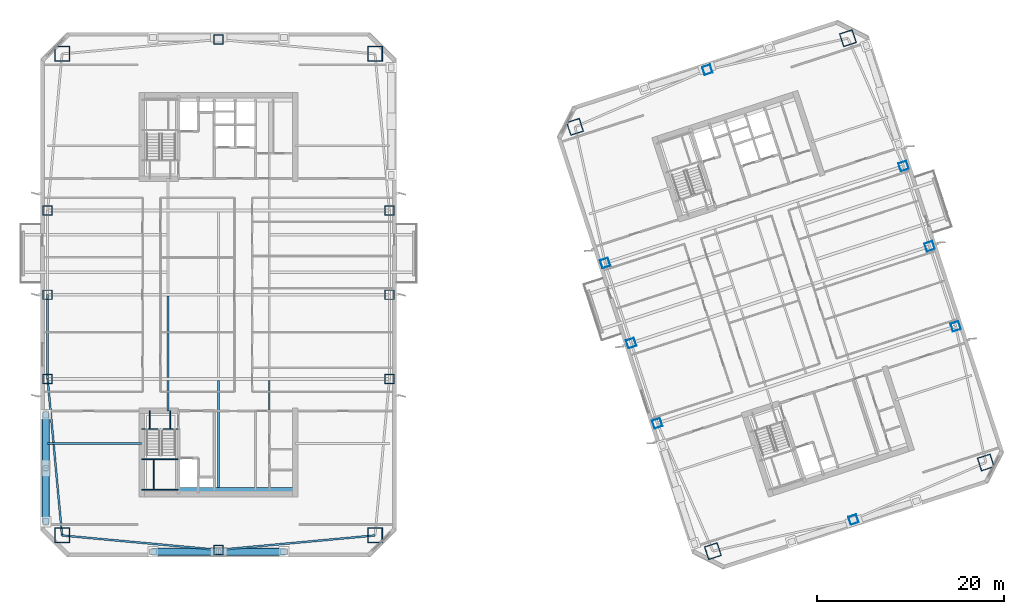
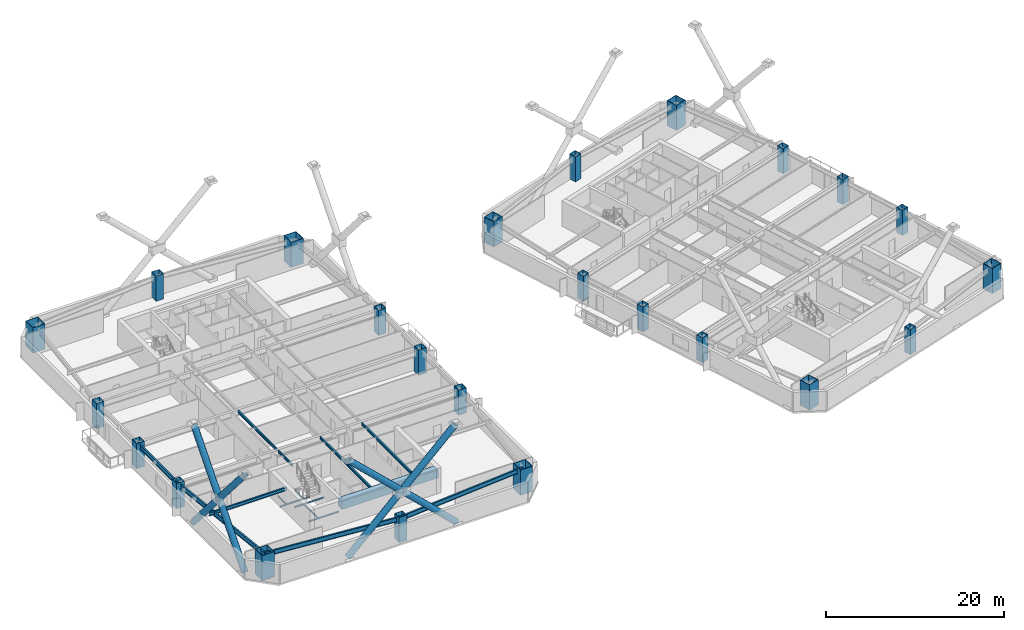
# One storey, part 1 of 24: 24 columns, 16 beams, 8 members.
"""IFC4 building model written with IfcOpenShell, lengths in metres."""

from ifc_helpers import new_model, si_unit, direction, frame, origin, origin_2d, place, context, subcontext, project, spatial, rectangle, hollow_rectangle, hollow_circle, i_section, extrude, material, material_profile, profile_set, type_object, element, save


model = new_model("IFC4")

# Units and contexts
model_context = context("Model", 3, precision=1e-05, world=origin(), true_north=direction((0.0, 1.0)))
body_context = subcontext(model_context, "Body", "Model", "MODEL_VIEW")
ifc_project = project(units=[si_unit("LENGTHUNIT", "METRE"), si_unit("AREAUNIT", "SQUARE_METRE"), si_unit("VOLUMEUNIT", "CUBIC_METRE"), si_unit("PLANEANGLEUNIT", "RADIAN"), si_unit("MASSUNIT", "GRAM", prefix="KILO")], contexts=[model_context])

# Site, building, storey
site_placement = place(None, origin())
site = spatial("IfcSite", under=ifc_project, at=site_placement, CompositionType="ELEMENT")
building_placement = place(site_placement, origin())
building = spatial("IfcBuilding", under=site, at=building_placement, Name="Qiaolan Cultural Towers", CompositionType="ELEMENT")
storey_placement = place(building_placement, frame((0.0, 0.0, 120.75)))
storey = spatial("IfcBuildingStorey", under=building, at=storey_placement, Name="L31", CompositionType="ELEMENT", Elevation=120.75)

# Columns
ifc_material_1 = material(Name="Steel Q355B", Category="steel")
ifc_material_profile_1 = material_profile(ifc_material_1, hollow_rectangle(XDim=1.0, YDim=1.0, WallThickness=0.035888671875, at=origin_2d()), Name="BOX1000x1000x36")
ifc_profile_set_1 = profile_set([ifc_material_profile_1], Name="Steel Q355B")
column_type_1 = type_object("IfcColumnType", Name="COL-BOX1000x1000x36", PredefinedType="COLUMN", material=ifc_profile_set_1)
for number, where, z_axis, x_axis, name in (
    (1, (11.75, 25.0, 0.0), (0.0, 0.0, 1.0), (1.0, 0.0, 0.0), "L31 T1 Perimeter Column PC-W1"),
    (2, (11.75, 34.0, 0.0), (0.0, 0.0, 1.0), (1.0, 0.0, 0.0), "L31 T1 Perimeter Column PC-W2"),
    (3, (11.75, 43.0, 0.0), (0.0, 0.0, 1.0), (1.0, 0.0, 0.0), "L31 T1 Perimeter Column PC-W3"),
    (4, (48.25, 25.0, 0.0), (0.0, 0.0, 1.0), (1.0, 0.0, 0.0), "L31 T1 Perimeter Column PC-E1"),
    (5, (48.25, 34.0, 0.0), (0.0, 0.0, 1.0), (1.0, 0.0, 0.0), "L31 T1 Perimeter Column PC-E2"),
    (6, (48.25, 43.0, 0.0), (0.0, 0.0, 1.0), (1.0, 0.0, 0.0), "L31 T1 Perimeter Column PC-E3"),
    (7, (30.0, 6.75, 0.0), (0.0, 0.0, 1.0), (1.0, 0.0, 0.0), "L31 T1 Perimeter Column PC-S0"),
    (8, (30.0, 61.25, 0.0), (0.0, 0.0, 1.0), (1.0, 0.0, 0.0), "L31 T1 Perimeter Column PC-N0"),
):
    element("IfcColumn", number, at=place(storey_placement, frame(where, z_axis=z_axis, x_axis=x_axis)), inside=storey, type_object=column_type_1, Name=name, PredefinedType="COLUMN", context=body_context, shape_type="SweptSolid", body=[
        extrude(hollow_rectangle(XDim=1.0, YDim=1.0, WallThickness=0.035888671875, at=origin_2d()), origin(), (0.0, 0.0, 1.0), 3.450927734375),
    ])
ifc_material_2 = material(Name="Steel Q420GJB", Category="steel")
ifc_material_profile_2 = material_profile(ifc_material_2, hollow_rectangle(XDim=1.449951171875, YDim=1.449951171875, WallThickness=0.050048828125, at=origin_2d()), Name="BOX1450x1450x50")
ifc_profile_set_2 = profile_set([ifc_material_profile_2], Name="Steel Q420GJB")
column_type_2 = type_object("IfcColumnType", Name="COL-BOX1450x1450x50", PredefinedType="COLUMN", material=ifc_profile_set_2)
for number, where, z_axis, x_axis, name in (
    (9, (82.79052734375, 6.611572265625, 0.0), (0.0, 0.0, 1.0), (0.951056516295, 0.309016994375, 0.0), "L31 T2 Perimeter Column MC-SW"),
    (10, (111.930908203125, 16.080078125, 0.0), (0.0, 0.0, 1.0), (0.951056516295, 0.309016994375, 0.0), "L31 T2 Perimeter Column MC-SE"),
    (11, (97.20947265625, 61.388427734375, 0.0), (0.0, 0.0, 1.0), (0.951056516295, 0.309016994375, 0.0), "L31 T2 Perimeter Column MC-NE"),
    (12, (68.069091796875, 51.919921875, 0.0), (0.0, 0.0, 1.0), (0.951056516295, 0.309016994375, 0.0), "L31 T2 Perimeter Column MC-NW"),
):
    element("IfcColumn", number, at=place(storey_placement, frame(where, z_axis=z_axis, x_axis=x_axis)), inside=storey, type_object=column_type_2, Name=name, PredefinedType="COLUMN", context=body_context, shape_type="SweptSolid", body=[
        extrude(hollow_rectangle(XDim=1.449951171875, YDim=1.449951171875, WallThickness=0.050048828125, at=origin_2d()), origin(), (0.0, 0.0, 1.0), 3.450927734375),
    ])
ifc_material_3 = material(Name="Steel Q420GJB", Category="steel")
ifc_material_profile_3 = material_profile(ifc_material_3, hollow_rectangle(XDim=1.60009765625, YDim=1.60009765625, WallThickness=0.054931640625, at=origin_2d()), Name="BOX1600x1600x55")
ifc_profile_set_3 = profile_set([ifc_material_profile_3], Name="Steel Q420GJB")
column_type_3 = type_object("IfcColumnType", Name="COL-BOX1600x1600x55", PredefinedType="COLUMN", material=ifc_profile_set_3)
for number, where, z_axis, x_axis, name in (
    (13, (13.2900390625, 8.2900390625, 0.0), (0.0, 0.0, 1.0), (1.0, 0.0, 0.0), "L31 T1 Perimeter Column MC-SW"),
    (14, (46.7099609375, 8.2900390625, 0.0), (0.0, 0.0, 1.0), (1.0, 0.0, 0.0), "L31 T1 Perimeter Column MC-SE"),
    (15, (46.7099609375, 59.7099609375, 0.0), (0.0, 0.0, 1.0), (1.0, 0.0, 0.0), "L31 T1 Perimeter Column MC-NE"),
    (16, (13.2900390625, 59.7099609375, 0.0), (0.0, 0.0, 1.0), (1.0, 0.0, 0.0), "L31 T1 Perimeter Column MC-NW"),
):
    element("IfcColumn", number, at=place(storey_placement, frame(where, z_axis=z_axis, x_axis=x_axis)), inside=storey, type_object=column_type_3, Name=name, PredefinedType="COLUMN", context=body_context, shape_type="SweptSolid", body=[
        extrude(hollow_rectangle(XDim=1.60009765625, YDim=1.60009765625, WallThickness=0.054931640625, at=origin_2d()), origin(), (0.0, 0.0, 1.0), 3.450927734375),
    ])
ifc_material_4 = material(Name="Steel Q355B", Category="steel")
ifc_material_profile_4 = material_profile(ifc_material_4, hollow_rectangle(XDim=0.89990234375, YDim=0.89990234375, WallThickness=0.031982421875, at=origin_2d()), Name="BOX900x900x32")
ifc_profile_set_4 = profile_set([ifc_material_profile_4], Name="Steel Q355B")
column_type_4 = type_object("IfcColumnType", Name="COL-BOX900x900x32", PredefinedType="COLUMN", material=ifc_profile_set_4)
for number, where, z_axis, x_axis, name in (
    (17, (76.85107421875, 20.264404296875, 0.0), (0.0, 0.0, 1.0), (0.951056516295, 0.309016994375, 0.0), "L31 T2 Perimeter Column PC-W1"),
    (18, (74.06982421875, 28.823974609375, 0.0), (0.0, 0.0, 1.0), (0.951056516295, 0.309016994375, 0.0), "L31 T2 Perimeter Column PC-W2"),
    (19, (71.28857421875, 37.383544921875, 0.0), (0.0, 0.0, 1.0), (0.951056516295, 0.309016994375, 0.0), "L31 T2 Perimeter Column PC-W3"),
    (20, (108.71142578125, 30.616455078125, 0.0), (0.0, 0.0, 1.0), (0.951056516295, 0.309016994375, 0.0), "L31 T2 Perimeter Column PC-E1"),
    (21, (105.93017578125, 39.176025390625, 0.0), (0.0, 0.0, 1.0), (0.951056516295, 0.309016994375, 0.0), "L31 T2 Perimeter Column PC-E2"),
    (22, (103.14892578125, 47.735595703125, 0.0), (0.0, 0.0, 1.0), (0.951056516295, 0.309016994375, 0.0), "L31 T2 Perimeter Column PC-E3"),
    (23, (97.802734375, 9.98583984375, 0.0), (0.0, 0.0, 1.0), (0.951056516295, 0.309016994375, 0.0), "L31 T2 Perimeter Column PC-S0"),
    (24, (82.197265625, 58.01416015625, 0.0), (0.0, 0.0, 1.0), (0.951056516295, 0.309016994375, 0.0), "L31 T2 Perimeter Column PC-N0"),
):
    element("IfcColumn", number, at=place(storey_placement, frame(where, z_axis=z_axis, x_axis=x_axis)), inside=storey, type_object=column_type_4, Name=name, PredefinedType="COLUMN", context=body_context, shape_type="SweptSolid", body=[
        extrude(hollow_rectangle(XDim=0.89990234375, YDim=0.89990234375, WallThickness=0.031982421875, at=origin_2d()), origin(), (0.0, 0.0, 1.0), 3.450927734375),
    ])

# Beams
ifc_material_5 = material(Name="Steel Q355B", Category="steel")
ifc_material_profile_5 = material_profile(ifc_material_5, i_section(OverallWidth=0.175048828125, OverallDepth=0.35009765625, WebThickness=0.007080078125, FlangeThickness=0.010986328125, at=origin_2d()), Name="HN350x175x7x11")
ifc_profile_set_5 = profile_set([ifc_material_profile_5], Name="Steel Q355B")
beam_type_1 = type_object("IfcBeamType", Name="BM-JST-HN350x175x7x11", PredefinedType="JOIST", material=ifc_profile_set_5)
beam_1_placement = place(storey_placement, frame((24.60009765625, 21.60009765625, 3.014892578125), z_axis=(0.0, 1.0, 0.0), x_axis=(-1.0, 0.0, 0.0)))
element("IfcBeam", 25, at=beam_1_placement, inside=storey, type_object=beam_type_1, Name="L31 T1 Secondary Floor Joist U1-1", PredefinedType="JOIST", context=body_context, shape_type="SweptSolid", body=[
    extrude(i_section(OverallWidth=0.175048828125, OverallDepth=0.35009765625, WebThickness=0.007080078125, FlangeThickness=0.010986328125, at=origin_2d()), origin(), (0.0, 0.0, 1.0), 3.25),
])
beam_2_placement = place(storey_placement, frame((24.60009765625, 25.14990234375, 3.014892578125), z_axis=(0.0, 1.0, 0.0), x_axis=(-1.0, 0.0, 0.0)))
element("IfcBeam", 26, at=beam_2_placement, inside=storey, type_object=beam_type_1, Name="L31 T1 Secondary Floor Joist U1-2", PredefinedType="JOIST", context=body_context, shape_type="SweptSolid", body=[
    extrude(i_section(OverallWidth=0.175048828125, OverallDepth=0.35009765625, WebThickness=0.007080078125, FlangeThickness=0.010986328125, at=origin_2d()), origin(), (0.0, 0.0, 1.0), 8.7001953125),
])
for number, where, z_axis, x_axis, name in (
    (27, (30.0, 13.39990234375, 3.014892578125), (0.0, 1.0, 0.0), (-1.0, 0.0, 0.0), "L31 T1 Secondary Floor Joist U2-1"),
    (28, (35.39990234375, 13.39990234375, 3.014892578125), (0.0, 1.0, 0.0), (-1.0, 0.0, 0.0), "L31 T1 Secondary Floor Joist U3-1"),
):
    element("IfcBeam", number, at=place(storey_placement, frame(where, z_axis=z_axis, x_axis=x_axis)), inside=storey, type_object=beam_type_1, Name=name, PredefinedType="JOIST", context=body_context, shape_type="SweptSolid", body=[
        extrude(i_section(OverallWidth=0.175048828125, OverallDepth=0.35009765625, WebThickness=0.007080078125, FlangeThickness=0.010986328125, at=origin_2d()), origin(), (0.0, 0.0, 1.0), 11.4501953125),
    ])
ifc_material_6 = material(Name="Steel Q355B", Category="steel")
ifc_material_profile_6 = material_profile(ifc_material_6, i_section(OverallWidth=0.199951171875, OverallDepth=0.449951171875, WebThickness=0.009033203125, FlangeThickness=0.013916015625, at=origin_2d()), Name="HN450x200x9x14")
ifc_profile_set_6 = profile_set([ifc_material_profile_6], Name="Steel Q355B")
beam_type_2 = type_object("IfcBeamType", Name="BM-LNT-HN450x200x9x14", PredefinedType="LINTEL", material=ifc_profile_set_6)
beam_3_placement = place(storey_placement, frame((21.800048828125, 18.10009765625, 2.965087890625), z_axis=(-1.0, 0.0, 0.0), x_axis=(0.0, -1.0, 0.0)))
element("IfcBeam", 29, at=beam_3_placement, inside=storey, type_object=beam_type_2, Name="L31 T1 Core Flank Tie Lintel WS", PredefinedType="LINTEL", context=body_context, shape_type="SweptSolid", body=[
    extrude(i_section(OverallWidth=0.199951171875, OverallDepth=0.449951171875, WebThickness=0.009033203125, FlangeThickness=0.013916015625, at=origin_2d()), origin(), (0.0, 0.0, 1.0), 10.050048828125),
])
ifc_material_7 = material(Name="Concrete C50", Category="concrete")
ifc_material_profile_7 = material_profile(ifc_material_7, rectangle(XDim=0.89990234375, YDim=1.10009765625, at=origin_2d()), Name="RC900x1100")
ifc_profile_set_7 = profile_set([ifc_material_profile_7], Name="Concrete C50")
beam_type_3 = type_object("IfcBeamType", Name="BM-RC900x1100", PredefinedType="BEAM", material=ifc_profile_set_7)
beam_4_placement = place(storey_placement, frame((25.719970703125, 12.949951171875, 2.639892578125), z_axis=(1.0, 0.0, 0.0), x_axis=(0.0, 1.0, 0.0)))
element("IfcBeam", 30, at=beam_4_placement, inside=storey, type_object=beam_type_3, Name="L31 T1 Core Header Girder S", PredefinedType="BEAM", context=body_context, shape_type="SweptSolid", body=[
    extrude(rectangle(XDim=0.89990234375, YDim=1.10009765625, at=origin_2d()), origin(), (0.0, 0.0, 1.0), 12.47998046875),
])
ifc_material_8 = material(Name="Steel Q355B", Category="steel")
ifc_material_profile_8 = material_profile(ifc_material_8, i_section(OverallWidth=0.199951171875, OverallDepth=0.60009765625, WebThickness=0.010986328125, FlangeThickness=0.01708984375, at=origin_2d()), Name="HN600x200x11x17")
ifc_profile_set_8 = profile_set([ifc_material_profile_8], Name="Steel Q355B")
beam_type_4 = type_object("IfcBeamType", Name="BM-SPD-HN600x200x11x17", PredefinedType="SPANDREL", material=ifc_profile_set_8)
for number, where, z_axis, x_axis, name in (
    (31, (13.2900390625, 8.2900390625, 2.889892578125), (0.995779862064, -0.09177399582, 0.0), (0.09177399582, 0.995779862064, 0.0), "L31 T1 Perimeter Spandrel Beam 1"),
    (32, (30.0, 6.75, 2.889892578125), (0.995779862064, 0.09177399582, 0.0), (-0.09177399582, 0.995779862064, 0.0), "L31 T1 Perimeter Spandrel Beam 2"),
):
    element("IfcBeam", number, at=place(storey_placement, frame(where, z_axis=z_axis, x_axis=x_axis)), inside=storey, type_object=beam_type_4, Name=name, PredefinedType="SPANDREL", context=body_context, shape_type="SweptSolid", body=[
        extrude(i_section(OverallWidth=0.199951171875, OverallDepth=0.60009765625, WebThickness=0.010986328125, FlangeThickness=0.01708984375, at=origin_2d()), origin(), (0.0, 0.0, 1.0), 16.78076171875),
    ])
beam_5_placement = place(storey_placement, frame((11.75, 34.0, 2.889892578125), z_axis=(0.0, -1.0, 0.0), x_axis=(1.0, 0.0, 0.0)))
element("IfcBeam", 33, at=beam_5_placement, inside=storey, type_object=beam_type_4, Name="L31 T1 Perimeter Spandrel Beam 11", PredefinedType="SPANDREL", context=body_context, shape_type="SweptSolid", body=[
    extrude(i_section(OverallWidth=0.199951171875, OverallDepth=0.60009765625, WebThickness=0.010986328125, FlangeThickness=0.01708984375, at=origin_2d()), origin(), (0.0, 0.0, 1.0), 9.0),
])
beam_6_placement = place(storey_placement, frame((11.75, 25.0, 2.889892578125), z_axis=(0.09177399582, -0.995779862064, 0.0), x_axis=(0.995779862064, 0.09177399582, 0.0)))
element("IfcBeam", 34, at=beam_6_placement, inside=storey, type_object=beam_type_4, Name="L31 T1 Perimeter Spandrel Beam 12", PredefinedType="SPANDREL", context=body_context, shape_type="SweptSolid", body=[
    extrude(i_section(OverallWidth=0.199951171875, OverallDepth=0.60009765625, WebThickness=0.010986328125, FlangeThickness=0.01708984375, at=origin_2d()), origin(), (0.0, 0.0, 1.0), 16.78076171875),
])
ifc_material_9 = material(Name="Steel Q355B", Category="steel")
ifc_material_profile_9 = material_profile(ifc_material_9, i_section(OverallWidth=0.10009765625, OverallDepth=0.199951171875, WebThickness=0.005615234375, FlangeThickness=0.008056640625, at=origin_2d()), Name="HN200x100x5.5x8")
ifc_profile_set_9 = profile_set([ifc_material_profile_9], Name="Steel Q355B")
beam_type_5 = type_object("IfcBeamType", Name="BM-STTRIM-200", PredefinedType="BEAM", material=ifc_profile_set_9)
beam_7_placement = place(storey_placement, frame((21.800048828125, 19.659912109375, -0.4599609375), z_axis=(1.0, 0.0, 0.0), x_axis=(0.0, 1.0, 0.0)))
element("IfcBeam", 35, at=beam_7_placement, inside=storey, type_object=beam_type_5, Name="L31 ST-W1 Floor Landing Header Beam", PredefinedType="BEAM", context=body_context, shape_type="SweptSolid", body=[
    extrude(i_section(OverallWidth=0.10009765625, OverallDepth=0.199951171875, WebThickness=0.005615234375, FlangeThickness=0.008056640625, at=origin_2d()), origin(), (0.0, 0.0, 1.0), 3.919921875),
])
for number, where, z_axis, x_axis, name in (
    (36, (22.64990234375, 21.60009765625, -0.4599609375), (0.0, -1.0, 0.0), (1.0, 0.0, 0.0), "L31 ST-W1 Floor Landing Stringer 1"),
    (37, (24.85009765625, 21.60009765625, -0.4599609375), (0.0, -1.0, 0.0), (1.0, 0.0, 0.0), "L31 ST-W1 Floor Landing Stringer 2"),
):
    element("IfcBeam", number, at=place(storey_placement, frame(where, z_axis=z_axis, x_axis=x_axis)), inside=storey, type_object=beam_type_5, Name=name, PredefinedType="BEAM", context=body_context, shape_type="SweptSolid", body=[
        extrude(i_section(OverallWidth=0.10009765625, OverallDepth=0.199951171875, WebThickness=0.005615234375, FlangeThickness=0.008056640625, at=origin_2d()), origin(), (0.0, 0.0, 1.0), 1.940185546875),
    ])
for number, where, z_axis, x_axis, name in (
    (38, (21.800048828125, 16.411376953125, 1.425048828125), (1.0, 0.0, 0.0), (0.0, 1.0, 0.0), "L31 ST-W1 Stair Landing Support Beam 1-1"),
    (39, (21.800048828125, 13.179931640625, 1.425048828125), (1.0, 0.0, 0.0), (0.0, 1.0, 0.0), "L31 ST-W1 Stair Landing Support Beam 1-2"),
):
    element("IfcBeam", number, at=place(storey_placement, frame(where, z_axis=z_axis, x_axis=x_axis)), inside=storey, type_object=beam_type_5, Name=name, PredefinedType="BEAM", context=body_context, shape_type="SweptSolid", body=[
        extrude(i_section(OverallWidth=0.10009765625, OverallDepth=0.199951171875, WebThickness=0.005615234375, FlangeThickness=0.008056640625, at=origin_2d()), origin(), (0.0, 0.0, 1.0), 3.919921875),
    ])
beam_8_placement = place(storey_placement, frame((23.070068359375, 16.411376953125, 1.425048828125), z_axis=(0.0, -1.0, 0.0), x_axis=(1.0, 0.0, 0.0)))
element("IfcBeam", 40, at=beam_8_placement, inside=storey, type_object=beam_type_5, Name="L31 ST-W1 Stair Landing Trimmer 1", PredefinedType="BEAM", context=body_context, shape_type="SweptSolid", body=[
    extrude(i_section(OverallWidth=0.10009765625, OverallDepth=0.199951171875, WebThickness=0.005615234375, FlangeThickness=0.008056640625, at=origin_2d()), origin(), (0.0, 0.0, 1.0), 3.2314453125),
])

# Members
ifc_material_10 = material(Name="Steel Q390GJB", Category="steel")
ifc_material_profile_10 = material_profile(ifc_material_10, hollow_circle(Radius=0.39990234375, WallThickness=0.0400390625, at=origin_2d()), Name="CHS800x40")
ifc_profile_set_10 = profile_set([ifc_material_profile_10], Name="Steel Q390GJB")
member_type = type_object("IfcMemberType", Name="MBR-BRC-CHS800x40", PredefinedType="BRACE", material=ifc_profile_set_10)
member_1_placement = place(storey_placement, frame((11.550048828125, 9.75, 0.14990234375), z_axis=(0.0, 0.651029118639, 0.759052756193), x_axis=(-1.0, 0.0, 0.0)))
element("IfcMember", 41, at=member_1_placement, inside=storey, type_object=member_type, Name="T1 WEST Perimeter Frame Diagonal W-Z2-M3-D1A", PredefinedType="BRACE", context=body_context, shape_type="SweptSolid", body=[
    extrude(hollow_circle(Radius=0.39990234375, WallThickness=0.0400390625, at=origin_2d()), origin(), (0.0, 0.0, 1.0), 8.7939453125),
])
for number, where, z_axis, x_axis, name in (
    (42, (11.550048828125, 15.47509765625, 6.824951171875), (0.0, 0.651013122571, 0.759066475509), (-1.0, 0.0, 0.0), "T1 WEST Perimeter Frame Diagonal W-Z2-M3-D1B"),
    (43, (11.550048828125, 21.199951171875, 0.14990234375), (0.0, -0.651013122571, 0.759066475509), (1.0, 0.0, 0.0), "T1 WEST Perimeter Frame Diagonal W-Z2-M3-D2A"),
):
    element("IfcMember", number, at=place(storey_placement, frame(where, z_axis=z_axis, x_axis=x_axis)), inside=storey, type_object=member_type, Name=name, PredefinedType="BRACE", context=body_context, shape_type="SweptSolid", body=[
        extrude(hollow_circle(Radius=0.39990234375, WallThickness=0.0400390625, at=origin_2d()), origin(), (0.0, 0.0, 1.0), 8.793701171875),
    ])
member_2_placement = place(storey_placement, frame((11.550048828125, 15.47509765625, 6.824951171875), z_axis=(0.0, -0.651029118639, 0.759052756193), x_axis=(1.0, 0.0, 0.0)))
element("IfcMember", 44, at=member_2_placement, inside=storey, type_object=member_type, Name="T1 WEST Perimeter Frame Diagonal W-Z2-M3-D2B", PredefinedType="BRACE", context=body_context, shape_type="SweptSolid", body=[
    extrude(hollow_circle(Radius=0.39990234375, WallThickness=0.0400390625, at=origin_2d()), origin(), (0.0, 0.0, 1.0), 8.7939453125),
])
for number, where, z_axis, x_axis, name in (
    (45, (23.0, 6.550048828125, 0.14990234375), (0.723705002801, 0.0, 0.69010946155), (0.0, 1.0, 0.0), "T1 SOUTH Perimeter Frame Diagonal W-Z2-M3-D1A"),
    (46, (30.0, 6.550048828125, 6.824951171875), (0.723705002801, 0.0, 0.69010946155), (0.0, 1.0, 0.0), "T1 SOUTH Perimeter Frame Diagonal W-Z2-M3-D1B"),
    (47, (37.0, 6.550048828125, 0.14990234375), (-0.723705002801, 0.0, 0.69010946155), (0.0, -1.0, 0.0), "T1 SOUTH Perimeter Frame Diagonal W-Z2-M3-D2A"),
    (48, (30.0, 6.550048828125, 6.824951171875), (-0.723705002801, 0.0, 0.69010946155), (0.0, -1.0, 0.0), "T1 SOUTH Perimeter Frame Diagonal W-Z2-M3-D2B"),
):
    element("IfcMember", number, at=place(storey_placement, frame(where, z_axis=z_axis, x_axis=x_axis)), inside=storey, type_object=member_type, Name=name, PredefinedType="BRACE", context=body_context, shape_type="SweptSolid", body=[
        extrude(hollow_circle(Radius=0.39990234375, WallThickness=0.0400390625, at=origin_2d()), origin(), (0.0, 0.0, 1.0), 9.67236328125),
    ])

save(model, "model.ifc")
